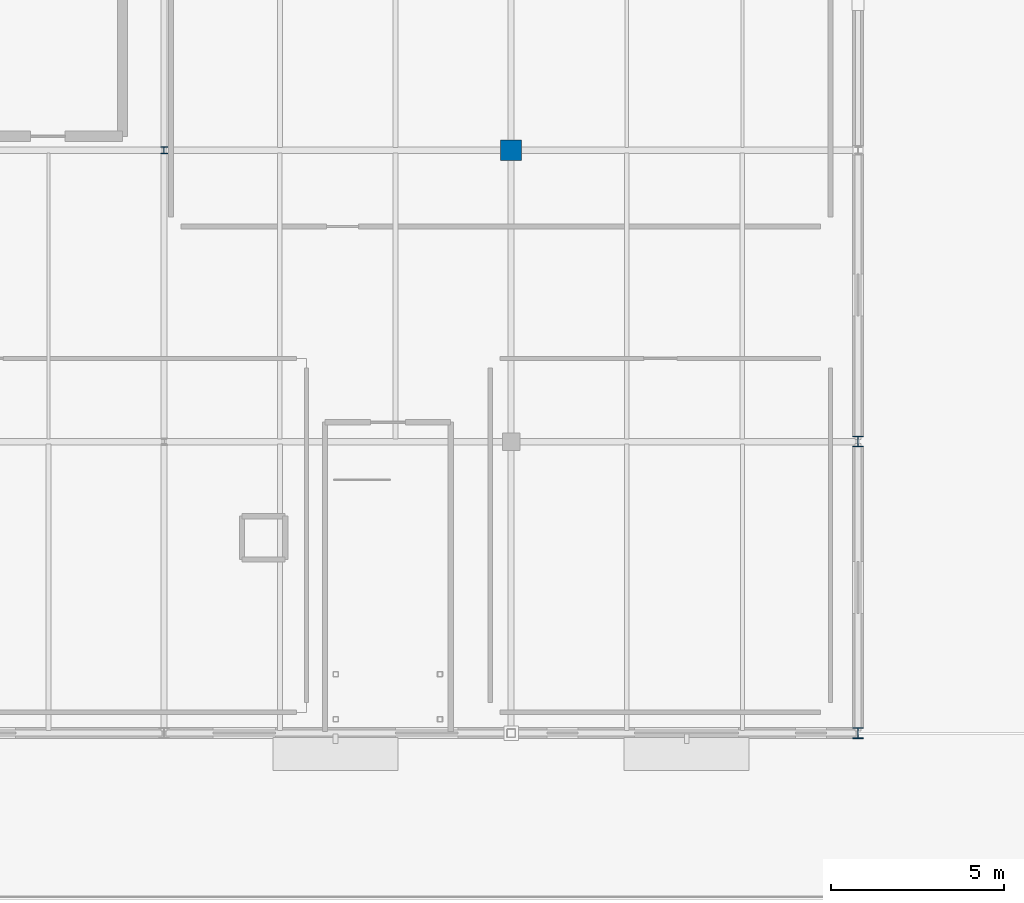
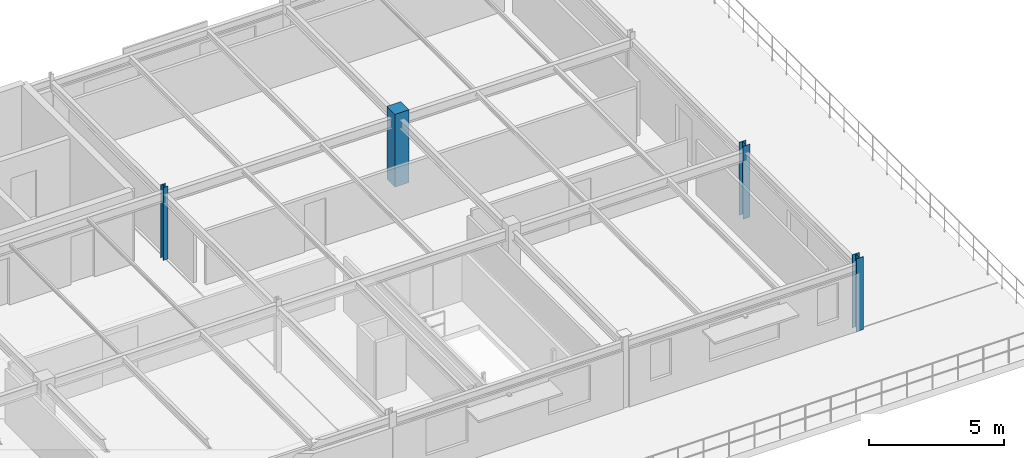
# One storey, part 9 of 23: 4 columns.
"""IFC4 building model written with IfcOpenShell, lengths in metres."""

from ifc_helpers import new_model, si_unit, derived_unit, direction, frame, origin, origin_2d_with_axis, place, context, subcontext, project, spatial, rectangle, i_section, extrude, material, material_profile, profile_set, type_object, element, save


model = new_model("IFC4")

# Units and contexts
model_context = context("Model", 3, precision=1e-05, world=origin(), true_north=direction((0.0, 1.0)))
body_context = subcontext(model_context, "Body", "Model", "MODEL_VIEW")
ifc_project = project(units=[si_unit("LENGTHUNIT", "METRE"), si_unit("AREAUNIT", "SQUARE_METRE"), si_unit("VOLUMEUNIT", "CUBIC_METRE"), si_unit("PLANEANGLEUNIT", "RADIAN"), si_unit("MASSUNIT", "GRAM", prefix="KILO"), derived_unit("THERMALTRANSMITTANCEUNIT", [(si_unit("POWERUNIT", "WATT"), 1), (si_unit("LENGTHUNIT", "METRE"), -2), (si_unit("THERMODYNAMICTEMPERATUREUNIT", "KELVIN"), -1)])], contexts=[model_context])

# Site, building, storey
site_placement = place(None, origin())
site = spatial("IfcSite", under=ifc_project, at=site_placement, CompositionType="ELEMENT")
building_placement = place(site_placement, origin())
building = spatial("IfcBuilding", under=site, at=building_placement, Name="Cinnabar Yard Market Hall", CompositionType="ELEMENT")
storey_placement = place(building_placement, frame((0.0, 0.0, 12.0)))
storey = spatial("IfcBuildingStorey", under=building, at=storey_placement, Name="L03", CompositionType="ELEMENT", Elevation=12.0)

# Columns
ifc_material_1 = material(Name="Steel Grade 300 (300 MPa)", Category="steel")
ifc_material_profile_1 = material_profile(ifc_material_1, i_section(OverallWidth=0.307373046875, OverallDepth=0.314697265625, WebThickness=0.011962890625, FlangeThickness=0.018798828125, FilletRadius=0.0166015625, at=origin_2d_with_axis()), Name="310UC118")
ifc_profile_set_1 = profile_set([ifc_material_profile_1], Name="Steel Grade 300 (300 MPa)")
column_type_1 = type_object("IfcColumnType", Name="COL-C08E", PredefinedType="COLUMN", material=ifc_profile_set_1)
column_1_placement = place(storey_placement, frame((156.0, 112.800048828125, 0.0), z_axis=(0.0, 0.0, 1.0), x_axis=(1.0, 0.0, 0.0)))
element("IfcColumn", 1, at=column_1_placement, inside=storey, type_object=column_type_1, Name="Wing Column V3-10-02 L03", PredefinedType="COLUMN", context=body_context, shape_type="SweptSolid", body=[
    extrude(i_section(OverallWidth=0.307373046875, OverallDepth=0.314697265625, WebThickness=0.011962890625, FlangeThickness=0.018798828125, FilletRadius=0.0166015625, at=origin_2d_with_axis()), origin(), (0.0, 0.0, 1.0), 3.300048828125),
])
ifc_material_profile_2 = material_profile(ifc_material_1, i_section(OverallWidth=0.304931640625, OverallDepth=0.30810546875, WebThickness=0.010009765625, FlangeThickness=0.015380859375, FilletRadius=0.0166015625, at=origin_2d_with_axis()), Name="310UC96.8")
ifc_profile_set_2 = profile_set([ifc_material_profile_2], Name="Steel Grade 300 (300 MPa)")
column_type_2 = type_object("IfcColumnType", Name="COL-C09E", PredefinedType="COLUMN", material=ifc_profile_set_2)
column_2_placement = place(storey_placement, frame((156.0, 121.199951171875, 0.0), z_axis=(0.0, 0.0, 1.0), x_axis=(1.0, 0.0, 0.0)))
element("IfcColumn", 2, at=column_2_placement, inside=storey, type_object=column_type_2, Name="Wing Column V3-10-03 L03", PredefinedType="COLUMN", context=body_context, shape_type="SweptSolid", body=[
    extrude(i_section(OverallWidth=0.304931640625, OverallDepth=0.30810546875, WebThickness=0.010009765625, FlangeThickness=0.015380859375, FilletRadius=0.0166015625, at=origin_2d_with_axis()), origin(), (0.0, 0.0, 1.0), 3.300048828125),
])
ifc_material_profile_3 = material_profile(ifc_material_1, i_section(OverallWidth=0.205078125, OverallDepth=0.209716796875, WebThickness=0.00927734375, FlangeThickness=0.01416015625, FilletRadius=0.011474609375, at=origin_2d_with_axis()), Name="200UC59.5")
ifc_profile_set_3 = profile_set([ifc_material_profile_3], Name="Steel Grade 300 (300 MPa)")
column_type_3 = type_object("IfcColumnType", Name="COL-C17", PredefinedType="COLUMN", material=ifc_profile_set_3)
column_3_placement = place(storey_placement, frame((136.0, 129.60009765625, 0.0), z_axis=(0.0, 0.0, 1.0), x_axis=(1.0, 0.0, 0.0)))
element("IfcColumn", 3, at=column_3_placement, inside=storey, type_object=column_type_3, Name="Wing Column V3-08-04 L03", PredefinedType="COLUMN", context=body_context, shape_type="SweptSolid", body=[
    extrude(i_section(OverallWidth=0.205078125, OverallDepth=0.209716796875, WebThickness=0.00927734375, FlangeThickness=0.01416015625, FilletRadius=0.011474609375, at=origin_2d_with_axis()), origin(), (0.0, 0.0, 1.0), 3.300048828125),
])
ifc_material_2 = material(Name="Concrete 40 MPa", Category="concrete")
ifc_material_profile_4 = material_profile(ifc_material_2, rectangle(XDim=0.60009765625, YDim=0.60009765625, at=origin_2d_with_axis()), Name="RC-600x600")
ifc_profile_set_4 = profile_set([ifc_material_profile_4], Name="Concrete 40 MPa")
column_type_4 = type_object("IfcColumnType", Name="COL-RC2", PredefinedType="COLUMN", material=ifc_profile_set_4)
column_4_placement = place(storey_placement, frame((146.0, 129.60009765625, 0.0), z_axis=(0.0, 0.0, 1.0), x_axis=(1.0, 0.0, 0.0)))
element("IfcColumn", 4, at=column_4_placement, inside=storey, type_object=column_type_4, Name="Wing Column V3-09-04 L03", PredefinedType="COLUMN", context=body_context, shape_type="SweptSolid", body=[
    extrude(rectangle(XDim=0.60009765625, YDim=0.60009765625, at=origin_2d_with_axis()), origin(), (0.0, 0.0, 1.0), 3.300048828125),
])

save(model, "model.ifc")
